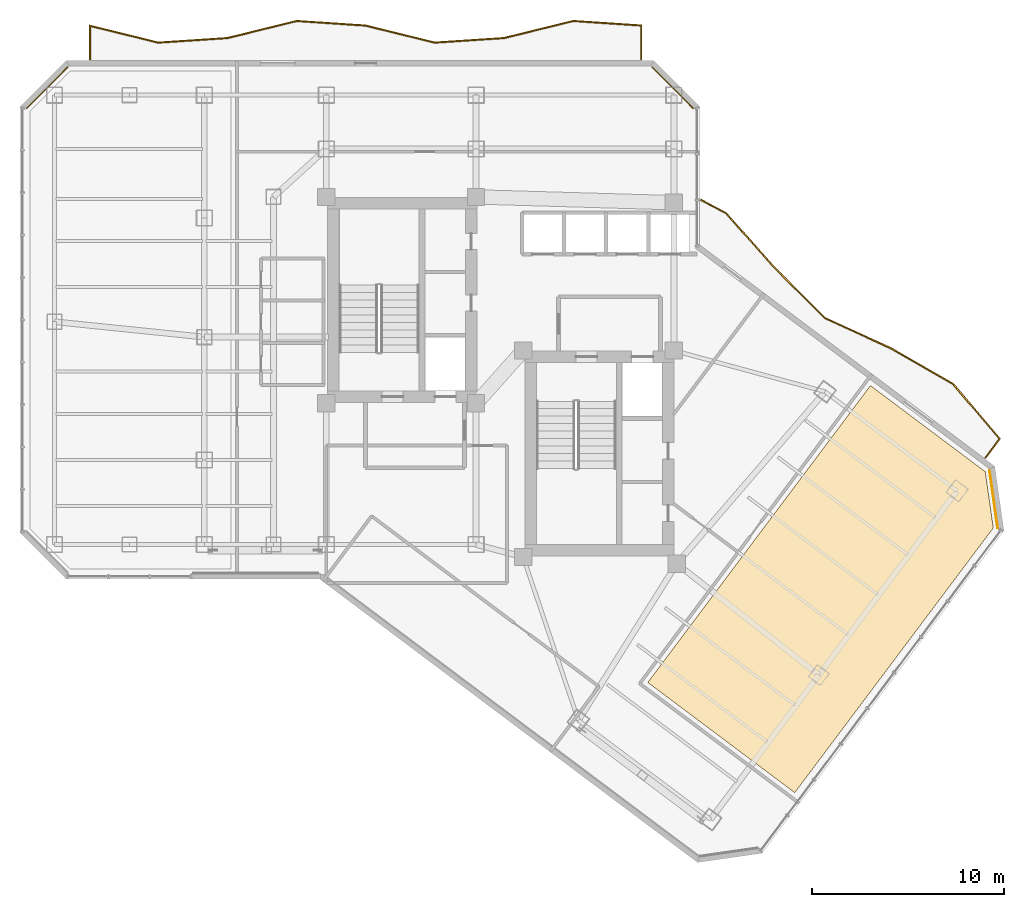
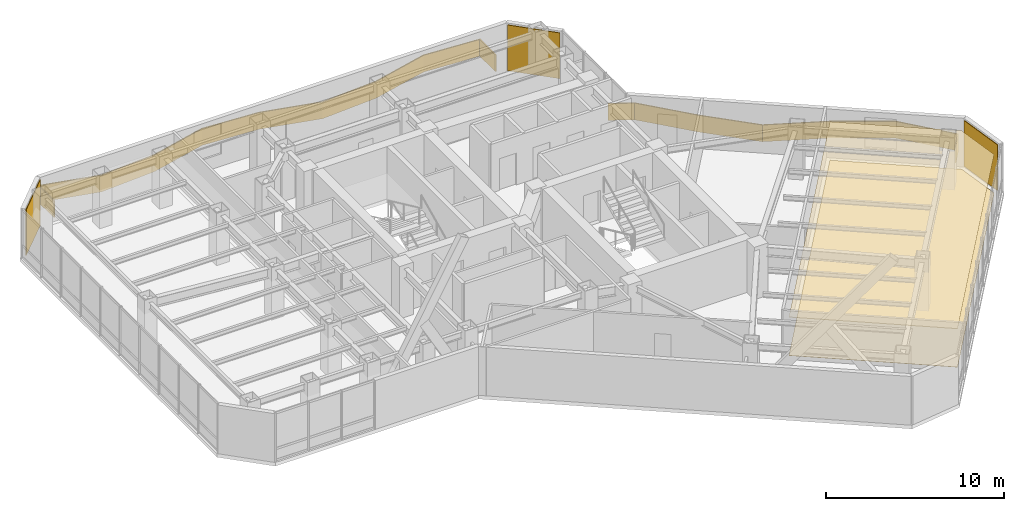
# One storey, part 26 of 26: 5 coverings, 2 railings.
"""IFC4 building model written with IfcOpenShell, lengths in metres."""

from ifc_helpers import new_model, si_unit, direction, frame, origin, origin_2d, place, context, subcontext, project, spatial, polyline, rectangle, outline, extrude, material, layer, layer_set, type_object, element, save


model = new_model("IFC4")

# Units and contexts
model_context = context("Model", 3, precision=1e-05, world=origin(), true_north=direction((0.0, 1.0)))
body_context = subcontext(model_context, "Body", "Model", "MODEL_VIEW")
ifc_project = project(units=[si_unit("LENGTHUNIT", "METRE"), si_unit("AREAUNIT", "SQUARE_METRE"), si_unit("VOLUMEUNIT", "CUBIC_METRE"), si_unit("PLANEANGLEUNIT", "RADIAN"), si_unit("MASSUNIT", "GRAM", prefix="KILO")], contexts=[model_context])

# Site, building, storey
site_placement = place(None, origin())
site = spatial("IfcSite", under=ifc_project, at=site_placement, CompositionType="ELEMENT")
building_placement = place(site_placement, origin())
building = spatial("IfcBuilding", under=site, at=building_placement, Name="Hatsunagi Terrace Concourse", CompositionType="ELEMENT")
storey_placement = place(building_placement, frame((0.0, 0.0, 134.85009765625)))
storey = spatial("IfcBuildingStorey", under=building, at=storey_placement, Name="L35", CompositionType="ELEMENT", Elevation=134.85009765625)

# Railings
ifc_material_1 = material(Name="Laminated Glass and Stainless Steel Guard", Category="steel")
ifc_layer_1 = layer(ifc_material_1, 0.070068359375)
ifc_layer_set_1 = layer_set([ifc_layer_1], Name="BalconyGlassGuardRail_1150")
railing_type = type_object("IfcRailingType", Name="BalconyGlassGuardRail_1150", PredefinedType="BALUSTRADE", material=ifc_layer_set_1)
railing_1_placement = place(storey_placement, origin())
element("IfcRailing", 1, at=railing_1_placement, inside=storey, type_object=railing_type, Name="Engawa Balcony Guard GRD-01 L35-BN-1", PredefinedType="BALUSTRADE", context=body_context, shape_type="SweptSolid", body=[
    extrude(outline(polyline([(13.215087890625, 50.449951171875), (13.284912109375, 50.449951171875), (13.284912109375, 52.166259765625), (16.79296875, 51.3017578125), (20.413330078125, 51.540283203125), (24.007080078125, 52.427734375), (27.586669921875, 52.190185546875), (31.19287109375, 51.3017578125), (34.8134765625, 51.540283203125), (38.406982421875, 52.427734375), (41.9150390625, 52.1953125), (41.9150390625, 50.449951171875), (41.985107421875, 50.449951171875), (41.985107421875, 52.2607421875), (38.40087890625, 52.498291015625), (34.802490234375, 51.609619140625), (31.19921875, 51.372314453125), (27.597412109375, 52.259765625), (24.0009765625, 52.498291015625), (20.402587890625, 51.609619140625), (16.799072265625, 51.372314453125), (13.215087890625, 52.255615234375), (13.215087890625, 50.449951171875)])), origin(), (0.0, 0.0, 1.0), 1.14990234375),
])
railing_2_placement = place(storey_placement, origin())
element("IfcRailing", 2, at=railing_2_placement, inside=storey, type_object=railing_type, Name="Engawa Balcony Guard GRD-01 L35-BSE-1", PredefinedType="BALUSTRADE", context=body_context, shape_type="SweptSolid", body=[
    extrude(outline(polyline([(45.062255859375, 43.18408203125), (45.02978515625, 43.1220703125), (46.343994140625, 42.427978515625), (48.840576171875, 39.612060546875), (51.499755859375, 36.960693359375), (54.951904296875, 35.3798828125), (58.167236328125, 33.52978515625), (60.568115234375, 30.69873046875), (59.842041015625, 29.73095703125), (59.89794921875, 29.68896484375), (60.65771484375, 30.701416015625), (58.212646484375, 33.584228515625), (54.98388671875, 35.442138671875), (51.540283203125, 37.019287109375), (48.8916015625, 39.659912109375), (46.387939453125, 42.48388671875), (45.062255859375, 43.18408203125)])), origin(), (0.0, 0.0, 1.0), 1.14990234375),
])

# Coverings
ifc_material_2 = material(Name="Hardwood timber", Category="wood")
ifc_layer_2 = layer(ifc_material_2, 0.014892578125)
ifc_layer_set_2 = layer_set([ifc_layer_2], Name="HardwoodTimberFlooring_15")
covering_type_1 = type_object("IfcCoveringType", Name="HardwoodTimberFlooring_15", PredefinedType="FLOORING", material=ifc_layer_set_2)
covering_1_placement = place(storey_placement, origin())
element("IfcCovering", 3, at=covering_1_placement, inside=storey, type_object=covering_type_1, Name="Finished Flooring L35-2", PredefinedType="FLOORING", context=body_context, shape_type="SweptSolid", body=[
    extrude(outline(polyline([(59.865966796875, 28.988037109375), (53.882080078125, 33.47607421875), (42.2900390625, 18.02001953125), (49.946044921875, 12.278076171875), (60.283935546875, 26.06201171875), (59.865966796875, 28.988037109375)])), origin(), (0.0, 0.0, 1.0), 0.014892578125),
])
ifc_material_3 = material(Name="Unglazed Warm Terracotta Rainscreen Tile", Category="masonry")
ifc_layer_3 = layer(ifc_material_3, 0.044921875)
ifc_layer_set_3 = layer_set([ifc_layer_3], Name="TerracottaRainscreenCladding_45")
covering_type_2 = type_object("IfcCoveringType", Name="TerracottaRainscreenCladding_45", PredefinedType="CLADDING", material=ifc_layer_set_3)
for number, where, z_axis, x_axis, name in (
    (4, (60.301025390625, 27.55810546875, 0.099853515625), (0.0, 0.0, 1.0), (0.141250262458, -0.989973920543, 0.0), "Terracotta Rainscreen Cladding L35-02"),
    (5, (11.013916015625, 48.986083984375, 0.099853515625), (0.0, 0.0, 1.0), (0.707106781187, 0.707106781187, 0.0), "Terracotta Rainscreen Cladding L35-10"),
    (6, (43.5859375, 48.986083984375, 0.099853515625), (0.0, 0.0, 1.0), (0.707106781187, -0.707106781187, 0.0), "Terracotta Rainscreen Cladding L35-12"),
):
    element("IfcCovering", number, at=place(storey_placement, frame(where, z_axis=z_axis, x_axis=x_axis)), inside=storey, type_object=covering_type_2, Name=name, PredefinedType="CLADDING", context=body_context, shape_type="SweptSolid", body=[
        extrude(rectangle(XDim=3.0380859375, YDim=0.044921875, at=origin_2d()), origin(), (0.0, 0.0, 1.0), 3.14990234375),
    ])
ifc_material_4 = material(Name="Hardwood timber", Category="wood")
ifc_layer_4 = layer(ifc_material_4, 0.034912109375)
ifc_layer_set_4 = layer_set([ifc_layer_4], Name="TimberBaffleCeiling_35")
covering_type_3 = type_object("IfcCoveringType", Name="TimberBaffleCeiling_35", PredefinedType="CEILING", material=ifc_layer_set_4)
covering_2_placement = place(storey_placement, frame((0.0, 0.0, 2.6298828125)))
element("IfcCovering", 7, at=covering_2_placement, inside=storey, type_object=covering_type_3, Name="Suspended Ceiling L35-2", PredefinedType="CEILING", context=body_context, shape_type="SweptSolid", body=[
    extrude(outline(polyline([(59.865966796875, 28.988037109375), (53.882080078125, 33.47607421875), (42.2900390625, 18.02001953125), (49.946044921875, 12.278076171875), (60.283935546875, 26.06201171875), (59.865966796875, 28.988037109375)])), origin(), (0.0, 0.0, 1.0), 0.034912109375),
])

save(model, "model.ifc")
